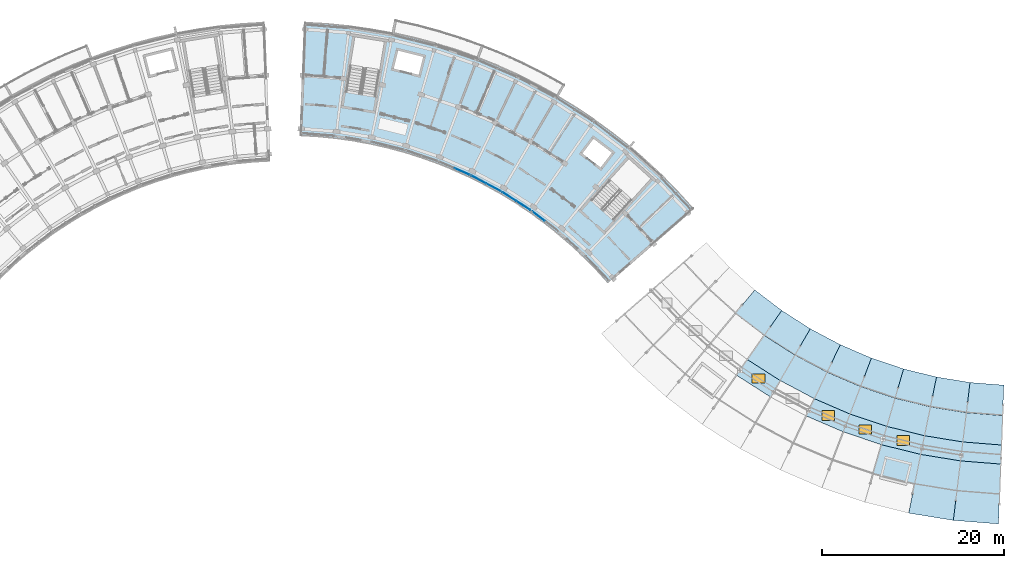
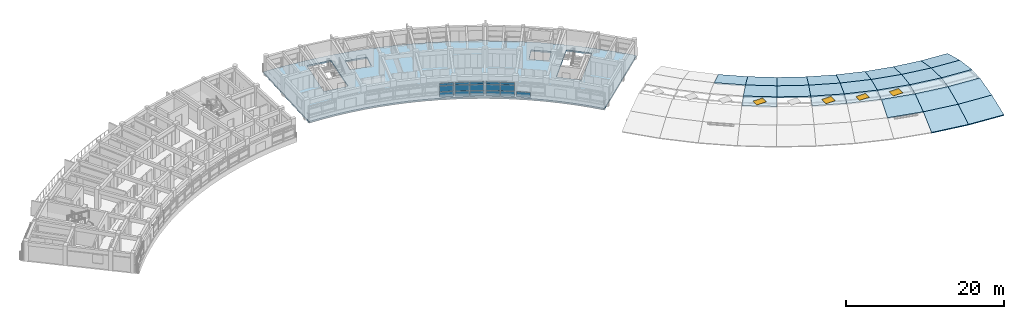
# One storey, part 22 of 40: 27 slabs, 16 plates, 4 windows, 4 openings, 4 elements without a shape of their own.
"""IFC4 building model written with IfcOpenShell, lengths in metres."""

from ifc_helpers import new_model, si_unit, direction, frame, origin, origin_2d, place, context, subcontext, project, spatial, polyline, rectangle, outline, extrude, material, layer, layer_set, type_object, element, fill, aggregate, save


model = new_model("IFC4")

# Units and contexts
model_context = context("Model", 3, precision=1e-05, world=origin(), true_north=direction((0.0, 1.0)))
body_context = subcontext(model_context, "Body", "Model", "MODEL_VIEW")
ifc_project = project(units=[si_unit("LENGTHUNIT", "METRE"), si_unit("AREAUNIT", "SQUARE_METRE"), si_unit("VOLUMEUNIT", "CUBIC_METRE"), si_unit("PLANEANGLEUNIT", "RADIAN"), si_unit("MASSUNIT", "GRAM", prefix="KILO")], contexts=[model_context])

# Site, building, storey
site_placement = place(None, origin())
site = spatial("IfcSite", under=ifc_project, at=site_placement, CompositionType="ELEMENT")
building_placement = place(site_placement, origin())
building = spatial("IfcBuilding", under=site, at=building_placement, Name="Zimvara Arc Housing Community", CompositionType="ELEMENT")
storey_placement = place(building_placement, frame((0.0, 0.0, 32.89990234375)))
storey = spatial("IfcBuildingStorey", under=building, at=storey_placement, Name="L10", CompositionType="ELEMENT", Elevation=32.89990234375)

# Curtain wall, plates
ifc_material_1 = material(Name="Anodised Aluminium AW-6063", Category="aluminium")
curtain_wall_type_1 = type_object("IfcCurtainWallType", Name="CW-SYS-08", PredefinedType="USERDEFINED", material=ifc_material_1)
curtain_wall_1_placement = place(storey_placement, origin())
curtain_wall_1 = element("IfcCurtainWall", 1, at=curtain_wall_1_placement, inside=storey, type_object=curtain_wall_type_1, Name="cw:blkB:L10:in:b6", ObjectType="CURTAIN WALL", PredefinedType="USERDEFINED")
ifc_material_2 = material(Name="Pale-Gold Anodised Aluminium Spandrel Panel", Category="aluminium")
ifc_layer_1 = layer(ifc_material_2, 0.035888671875)
ifc_layer_set_1 = layer_set([ifc_layer_1], Name="Pale-Gold Anodised Aluminium Spandrel Panel")
plate_type_1 = type_object("IfcPlateType", Name="CWP-GLD-36", PredefinedType="CURTAIN_PANEL", material=ifc_layer_set_1)
plate_1_placement = place(storey_placement, frame((69.7646484375, 84.90380859375, 0.065185546875), z_axis=(0.0, 0.0, 1.0), x_axis=(0.842264092079, -0.539065115913, 0.0)))
plate_1 = element("IfcPlate", 2, at=plate_1_placement, type_object=plate_type_1, Name="CW08 panel 1.1", PredefinedType="CURTAIN_PANEL", context=body_context, shape_type="SweptSolid", body=[
    extrude(rectangle(XDim=1.778564453125, YDim=0.035888671875, at=origin_2d()), origin(), (0.0, 0.0, 1.0), 0.75244140625),
])
plate_2_placement = place(storey_placement, frame((69.7646484375, 84.90380859375, 0.8828125), z_axis=(0.0, 0.0, 1.0), x_axis=(0.842264092079, -0.539065115913, 0.0)))
plate_2 = element("IfcPlate", 3, at=plate_2_placement, type_object=plate_type_1, Name="CW08 panel 1.2", PredefinedType="CURTAIN_PANEL", context=body_context, shape_type="SweptSolid", body=[
    extrude(rectangle(XDim=1.778564453125, YDim=0.035888671875, at=origin_2d()), origin(), (0.0, 0.0, 1.0), 0.885009765625),
])
plate_3_placement = place(storey_placement, frame((69.7646484375, 84.90380859375, 1.83251953125), z_axis=(0.0, 0.0, 1.0), x_axis=(0.842264092079, -0.539065115913, 0.0)))
plate_3 = element("IfcPlate", 4, at=plate_3_placement, type_object=plate_type_1, Name="CW08 panel 1.3", PredefinedType="CURTAIN_PANEL", context=body_context, shape_type="SweptSolid", body=[
    extrude(rectangle(XDim=1.778564453125, YDim=0.035888671875, at=origin_2d()), origin(), (0.0, 0.0, 1.0), 0.3525390625),
])
plate_4_placement = place(storey_placement, frame((71.317626953125, 83.909912109375, 0.065185546875), z_axis=(0.0, 0.0, 1.0), x_axis=(0.842264092079, -0.539065115913, 0.0)))
plate_4 = element("IfcPlate", 5, at=plate_4_placement, type_object=plate_type_1, Name="CW08 panel 2.1", PredefinedType="CURTAIN_PANEL", context=body_context, shape_type="SweptSolid", body=[
    extrude(rectangle(XDim=1.778564453125, YDim=0.035888671875, at=origin_2d()), origin(), (0.0, 0.0, 1.0), 0.75244140625),
])
plate_5_placement = place(storey_placement, frame((71.317626953125, 83.909912109375, 0.8828125), z_axis=(0.0, 0.0, 1.0), x_axis=(0.842264092079, -0.539065115913, 0.0)))
plate_5 = element("IfcPlate", 6, at=plate_5_placement, type_object=plate_type_1, Name="CW08 panel 2.2", PredefinedType="CURTAIN_PANEL", context=body_context, shape_type="SweptSolid", body=[
    extrude(rectangle(XDim=1.778564453125, YDim=0.035888671875, at=origin_2d()), origin(), (0.0, 0.0, 1.0), 0.885009765625),
])
plate_6_placement = place(storey_placement, frame((71.317626953125, 83.909912109375, 1.83251953125), z_axis=(0.0, 0.0, 1.0), x_axis=(0.842264092079, -0.539065115913, 0.0)))
plate_6 = element("IfcPlate", 7, at=plate_6_placement, type_object=plate_type_1, Name="CW08 panel 2.3", PredefinedType="CURTAIN_PANEL", context=body_context, shape_type="SweptSolid", body=[
    extrude(rectangle(XDim=1.778564453125, YDim=0.035888671875, at=origin_2d()), origin(), (0.0, 0.0, 1.0), 0.3525390625),
])
aggregate(curtain_wall_1, [plate_1, plate_2, plate_3, plate_4, plate_5, plate_6])

ifc_material_3 = material(Name="Anodised Aluminium AW-6063", Category="aluminium")
curtain_wall_type_2 = type_object("IfcCurtainWallType", Name="CW-SYS-05", PredefinedType="USERDEFINED", material=ifc_material_3)
curtain_wall_2_placement = place(storey_placement, origin())
curtain_wall_2 = element("IfcCurtainWall", 8, at=curtain_wall_2_placement, inside=storey, type_object=curtain_wall_type_2, Name="cw:blkB:L10:in:b4", ObjectType="CURTAIN WALL", PredefinedType="USERDEFINED")
ifc_material_4 = material(Name="Solar Control Low-E Double Glazing", Category="glass")
ifc_layer_2 = layer(ifc_material_4, 0.02392578125)
ifc_layer_set_2 = layer_set([ifc_layer_2], Name="Solar Control Low-E Double Glazing")
plate_type_2 = type_object("IfcPlateType", Name="CWP-GLZ-24", PredefinedType="CURTAIN_PANEL", material=ifc_layer_set_2)
plate_7_placement = place(storey_placement, frame((64.5576171875, 87.66552734375, 0.065185546875), z_axis=(0.0, 0.0, 1.0), x_axis=(0.918722411261, -0.394903951674, 0.0)))
plate_7 = element("IfcPlate", 9, at=plate_7_placement, type_object=plate_type_2, Name="CW05 panel 2.1", PredefinedType="CURTAIN_PANEL", context=body_context, shape_type="SweptSolid", body=[
    extrude(rectangle(XDim=1.778564453125, YDim=0.02392578125, at=origin_2d()), origin(), (0.0, 0.0, 1.0), 0.75244140625),
])
plate_8_placement = place(storey_placement, frame((64.5576171875, 87.66552734375, 0.8828125), z_axis=(0.0, 0.0, 1.0), x_axis=(0.918722411261, -0.394903951674, 0.0)))
plate_8 = element("IfcPlate", 10, at=plate_8_placement, type_object=plate_type_2, Name="CW05 panel 2.2", PredefinedType="CURTAIN_PANEL", context=body_context, shape_type="SweptSolid", body=[
    extrude(rectangle(XDim=1.778564453125, YDim=0.02392578125, at=origin_2d()), origin(), (0.0, 0.0, 1.0), 0.885009765625),
])
plate_9_placement = place(storey_placement, frame((64.5576171875, 87.66552734375, 1.83251953125), z_axis=(0.0, 0.0, 1.0), x_axis=(0.918722411261, -0.394903951674, 0.0)))
plate_9 = element("IfcPlate", 11, at=plate_9_placement, type_object=plate_type_2, Name="CW05 panel 2.3", PredefinedType="CURTAIN_PANEL", context=body_context, shape_type="SweptSolid", body=[
    extrude(rectangle(XDim=1.778564453125, YDim=0.02392578125, at=origin_2d()), origin(), (0.0, 0.0, 1.0), 0.3525390625),
])
aggregate(curtain_wall_2, [plate_7, plate_8, plate_9])

ifc_material_5 = material(Name="Anodised Aluminium AW-6063", Category="aluminium")
curtain_wall_type_3 = type_object("IfcCurtainWallType", Name="CW-SYS-06", PredefinedType="USERDEFINED", material=ifc_material_5)
curtain_wall_3_placement = place(storey_placement, origin())
curtain_wall_3 = element("IfcCurtainWall", 12, at=curtain_wall_3_placement, inside=storey, type_object=curtain_wall_type_3, Name="cw:blkB:L10:in:b5", ObjectType="CURTAIN WALL", PredefinedType="USERDEFINED")
ifc_material_6 = material(Name="Solar Control Low-E Double Glazing", Category="glass")
ifc_layer_3 = layer(ifc_material_6, 0.028076171875)
ifc_layer_set_3 = layer_set([ifc_layer_3], Name="Solar Control Low-E Double Glazing")
plate_type_3 = type_object("IfcPlateType", Name="CWP-GLZ-28", PredefinedType="CURTAIN_PANEL", material=ifc_layer_set_3)
plate_10_placement = place(storey_placement, frame((66.385498046875, 86.78955078125, 0.065185546875), z_axis=(0.0, 0.0, 1.0), x_axis=(0.883438518424, -0.468547099195, 0.0)))
plate_10 = element("IfcPlate", 13, at=plate_10_placement, type_object=plate_type_3, Name="CW06 panel 1.1", PredefinedType="CURTAIN_PANEL", context=body_context, shape_type="SweptSolid", body=[
    extrude(rectangle(XDim=1.778564453125, YDim=0.028076171875, at=origin_2d()), origin(), (0.0, 0.0, 1.0), 0.75244140625),
])
plate_11_placement = place(storey_placement, frame((66.385498046875, 86.78955078125, 0.8828125), z_axis=(0.0, 0.0, 1.0), x_axis=(0.883438518424, -0.468547099195, 0.0)))
plate_11 = element("IfcPlate", 14, at=plate_11_placement, type_object=plate_type_3, Name="CW06 panel 1.2", PredefinedType="CURTAIN_PANEL", context=body_context, shape_type="SweptSolid", body=[
    extrude(rectangle(XDim=1.778564453125, YDim=0.028076171875, at=origin_2d()), origin(), (0.0, 0.0, 1.0), 0.885009765625),
])
plate_12_placement = place(storey_placement, frame((66.385498046875, 86.78955078125, 1.83251953125), z_axis=(0.0, 0.0, 1.0), x_axis=(0.883438518424, -0.468547099195, 0.0)))
plate_12 = element("IfcPlate", 15, at=plate_12_placement, type_object=plate_type_3, Name="CW06 panel 1.3", PredefinedType="CURTAIN_PANEL", context=body_context, shape_type="SweptSolid", body=[
    extrude(rectangle(XDim=1.778564453125, YDim=0.028076171875, at=origin_2d()), origin(), (0.0, 0.0, 1.0), 0.3525390625),
])
plate_13_placement = place(storey_placement, frame((68.014404296875, 85.92578125, 0.065185546875), z_axis=(0.0, 0.0, 1.0), x_axis=(0.883438518424, -0.468547099195, 0.0)))
plate_13 = element("IfcPlate", 16, at=plate_13_placement, type_object=plate_type_3, Name="CW06 panel 2.1", PredefinedType="CURTAIN_PANEL", context=body_context, shape_type="SweptSolid", body=[
    extrude(rectangle(XDim=1.778564453125, YDim=0.028076171875, at=origin_2d()), origin(), (0.0, 0.0, 1.0), 0.75244140625),
])
plate_14_placement = place(storey_placement, frame((68.014404296875, 85.92578125, 0.8828125), z_axis=(0.0, 0.0, 1.0), x_axis=(0.883438518424, -0.468547099195, 0.0)))
plate_14 = element("IfcPlate", 17, at=plate_14_placement, type_object=plate_type_3, Name="CW06 panel 2.2", PredefinedType="CURTAIN_PANEL", context=body_context, shape_type="SweptSolid", body=[
    extrude(rectangle(XDim=1.778564453125, YDim=0.028076171875, at=origin_2d()), origin(), (0.0, 0.0, 1.0), 0.885009765625),
])
plate_15_placement = place(storey_placement, frame((68.014404296875, 85.92578125, 1.83251953125), z_axis=(0.0, 0.0, 1.0), x_axis=(0.883438518424, -0.468547099195, 0.0)))
plate_15 = element("IfcPlate", 18, at=plate_15_placement, type_object=plate_type_3, Name="CW06 panel 2.3", PredefinedType="CURTAIN_PANEL", context=body_context, shape_type="SweptSolid", body=[
    extrude(rectangle(XDim=1.778564453125, YDim=0.028076171875, at=origin_2d()), origin(), (0.0, 0.0, 1.0), 0.3525390625),
])
aggregate(curtain_wall_3, [plate_10, plate_11, plate_12, plate_13, plate_14, plate_15])

# Curtain wall, plate
ifc_material_7 = material(Name="Anodised Aluminium AW-6063", Category="aluminium")
curtain_wall_type_4 = type_object("IfcCurtainWallType", Name="CW-SYS-02", PredefinedType="USERDEFINED", material=ifc_material_7)
curtain_wall_4_placement = place(storey_placement, origin())
curtain_wall_4 = element("IfcCurtainWall", 19, at=curtain_wall_4_placement, inside=storey, type_object=curtain_wall_type_4, Name="cw:blkB:L10:in:b7", ObjectType="CURTAIN WALL", PredefinedType="USERDEFINED")
plate_16_placement = place(storey_placement, frame((72.978759765625, 82.74853515625, 0.065185546875), z_axis=(0.0, 0.0, 1.0), x_axis=(0.795473930895, -0.605987809503, 0.0)))
plate_16 = element("IfcPlate", 20, at=plate_16_placement, type_object=plate_type_3, Name="CW02 panel 1.1", PredefinedType="CURTAIN_PANEL", context=body_context, shape_type="SweptSolid", body=[
    extrude(rectangle(XDim=1.778564453125, YDim=0.028076171875, at=origin_2d()), origin(), (0.0, 0.0, 1.0), 0.75244140625),
])
aggregate(curtain_wall_4, [plate_16])

# Slabs
ifc_material_8 = material(Name="Concrete C40/50", Category="concrete")
ifc_layer_4 = layer(ifc_material_8, 0.179931640625)
ifc_layer_set_4 = layer_set([ifc_layer_4], Name="Concrete C40/50")
slab_type_1 = type_object("IfcSlabType", Name="SLB-BRL-ROOF-180", PredefinedType="ROOF", material=ifc_layer_set_4)
slab_1_placement = place(storey_placement, frame((96.793212890625, 74.62939453125, 0.1201171875), z_axis=(0.175872522477, 0.230863004654, 0.95695931414), x_axis=(0.795483030308, -0.605975864577, -6.477061e-06)))
element("IfcSlab", 21, at=slab_1_placement, inside=storey, type_object=slab_type_1, Name="roof:blkC:in1:b2:t0", PredefinedType="ROOF", context=body_context, shape_type="SweptSolid", body=[
    extrude(outline(polyline([(0.0, 0.0), (3.735993437539889, 0.0), (3.8705546057474702, -3.4457232850022925), (-0.13473484521581797, -3.445550518153494), (0.0, 0.0)])), origin(), (0.0, 0.0, -1.0), 0.179931640625),
])
slab_2_placement = place(storey_placement, frame((99.76513671875, 72.365478515625, 0.1201171875), z_axis=(0.156449128129, 0.244444326037, 0.956959059613), x_axis=(0.842252295774, -0.539083546604, 6.559203e-06)))
element("IfcSlab", 22, at=slab_2_placement, inside=storey, type_object=slab_type_1, Name="roof:blkC:in1:b3:t0", PredefinedType="ROOF", context=body_context, shape_type="SweptSolid", body=[
    extrude(outline(polyline([(0.0, 0.0), (3.735802676728838, 0.0), (3.870763543502447, -3.445539458096154), (-0.13478805842064573, -3.4457144170820824), (0.0, 0.0)])), origin(), (0.0, 0.0, -1.0), 0.179931640625),
])
slab_3_placement = place(storey_placement, frame((97.8740234375, 69.660888671875, 1.1201171875), z_axis=(0.096526090093, 0.150821025854, 0.983837248782), x_axis=(0.842275634891, -0.53904708038, -1.972044e-06)))
element("IfcSlab", 23, at=slab_3_placement, inside=storey, type_object=slab_type_1, Name="roof:blkC:in2:b3:t0", PredefinedType="ROOF", context=body_context, shape_type="SweptSolid", body=[
    extrude(outline(polyline([(0.0, 0.0), (4.005551605817919, -6.661338147750939e-16), (4.140024737529822, -3.3513298506434754), (-0.13486453372735885, -3.3512386580924614), (0.0, 0.0)])), origin(), (0.0, 0.0, -1.0), 0.179931640625),
])
slab_4_placement = place(storey_placement, frame((102.91162109375, 70.3515625, 0.1201171875), z_axis=(0.135986745454, 0.256395013371, 0.95695830744), x_axis=(0.883439094078, -0.468546013796, -3.287226e-06)))
element("IfcSlab", 24, at=slab_4_placement, inside=storey, type_object=slab_type_1, Name="roof:blkC:in1:b4:t0", PredefinedType="ROOF", context=body_context, shape_type="SweptSolid", body=[
    extrude(outline(polyline([(0.0, 0.0), (3.7360078202528384, 0.0), (3.8706256657567035, -3.445641334457608), (-0.13459796669446164, -3.445553653726859), (0.0, 0.0)])), origin(), (0.0, 0.0, -1.0), 0.179931640625),
])
slab_5_placement = place(storey_placement, frame((101.247802734375, 67.501708984375, 1.1201171875), z_axis=(0.083901912001, 0.158194518115, 0.983836858224), x_axis=(0.883429102489, -0.468564852359, 3.049498e-06)))
element("IfcSlab", 25, at=slab_5_placement, inside=storey, type_object=slab_type_1, Name="roof:blkC:in2:b4:t0", PredefinedType="ROOF", context=body_context, shape_type="SweptSolid", body=[
    extrude(outline(polyline([(0.0, 0.0), (4.00522363341222, 2.220446049250313e-16), (4.140018194579597, -3.3511735929204445), (-0.13485261478449045, -3.3513146022363443), (0.0, 0.0)])), origin(), (0.0, 0.0, -1.0), 0.179931640625),
])
slab_6_placement = place(storey_placement, frame((106.212158203125, 68.60107421875, 0.1201171875), z_axis=(0.114609374575, 0.266646888487, 0.956955656298), x_axis=(0.918716453225, -0.394917812289, 1.0541491e-05)))
element("IfcSlab", 26, at=slab_6_placement, inside=storey, type_object=slab_type_1, Name="roof:blkC:in1:b5:t0", PredefinedType="ROOF", context=body_context, shape_type="SweptSolid", body=[
    extrude(outline(polyline([(0.0, 0.0), (3.7357920505603195, -2.220446049250313e-16), (3.870595506328679, -3.445353136903779), (-0.13479772791542194, -3.4456343017028006), (0.0, 0.0)])), origin(), (0.0, 0.0, -1.0), 0.179931640625),
])
slab_7_placement = place(storey_placement, frame((104.7861328125, 65.625, 1.1201171875), z_axis=(0.070710329706, 0.164508561435, 0.983837884251), x_axis=(0.918743595497, -0.394854663986, -7.816129e-06)))
element("IfcSlab", 27, at=slab_7_placement, inside=storey, type_object=slab_type_1, Name="roof:blkC:in2:b5:t0", PredefinedType="ROOF", context=body_context, shape_type="SweptSolid", body=[
    extrude(outline(polyline([(0.0, 0.0), (4.005393244197502, 0.0), (4.139826945365122, -3.3515303113486956), (-0.13491169687942747, -3.351168879181455), (0.0, 0.0)])), origin(), (0.0, 0.0, -1.0), 0.179931640625),
])
slab_8_placement = place(storey_placement, frame((109.644287109375, 67.125732421875, 0.1201171875), z_axis=(0.092474087513, 0.275106520269, 0.956956083446), x_axis=(0.947895023284, -0.318582838033, -1.2029128e-05)))
element("IfcSlab", 28, at=slab_8_placement, inside=storey, type_object=slab_type_1, Name="roof:blkC:in1:b6:t0", PredefinedType="ROOF", context=body_context, shape_type="SweptSolid", body=[
    extrude(outline(polyline([(0.0, 0.0), (3.735915197300284, 2.220446049250313e-16), (3.870552798049799, -3.4456708605938138), (-0.13488337976329615, -3.4453500087816304), (0.0, 0.0)])), origin(), (0.0, 0.0, -1.0), 0.179931640625),
])
slab_9_placement = place(storey_placement, frame((108.466064453125, 64.04345703125, 1.1201171875), z_axis=(0.057053890829, 0.16972569041, 0.983838423501), x_axis=(0.94786979611, -0.318657888021, 4.848542e-06)))
element("IfcSlab", 29, at=slab_9_placement, inside=storey, type_object=slab_type_1, Name="roof:blkC:in2:b6:t0", PredefinedType="ROOF", context=body_context, shape_type="SweptSolid", body=[
    extrude(outline(polyline([(0.0, 0.0), (4.005436190890521, 4.440892098500626e-16), (4.14027200662921, -3.3512929484263654), (-0.13476100926693224, -3.351517166732552), (0.0, 0.0)])), origin(), (0.0, 0.0, -1.0), 0.179931640625),
])
slab_10_placement = place(storey_placement, frame((113.185546875, 65.935546875, 0.1201171875), z_axis=(0.069718656148, 0.28172121801, 0.956960011864), x_axis=(0.970716409032, -0.240228335621, 3.92674e-07)))
element("IfcSlab", 30, at=slab_10_placement, inside=storey, type_object=slab_type_1, Name="roof:blkC:in1:b7:t0", PredefinedType="ROOF", context=body_context, shape_type="SweptSolid", body=[
    extrude(outline(polyline([(0.0, 0.0), (3.7358644779074552, -1.1102230246251565e-16), (3.870550685171984, -3.445658980093145), (-0.13467360304142384, -3.445669453956335), (0.0, 0.0)])), origin(), (0.0, 0.0, -1.0), 0.179931640625),
])
slab_11_placement = place(storey_placement, frame((112.2626953125, 62.76708984375, 1.1201171875), z_axis=(0.043019196849, 0.173813816821, 0.983838455126), x_axis=(0.970716825915, -0.240226651024, -4.825083e-06)))
element("IfcSlab", 31, at=slab_11_placement, inside=storey, type_object=slab_type_1, Name="roof:blkC:in2:b7:t0", PredefinedType="ROOF", context=body_context, shape_type="SweptSolid", body=[
    extrude(outline(polyline([(0.0, 0.0), (4.005224288179228, 1.1102230246251565e-16), (4.139901484970096, -3.3515198687821672), (-0.13474126261522545, -3.351296751338333), (0.0, 0.0)])), origin(), (0.0, 0.0, -1.0), 0.179931640625),
])
slab_12_placement = place(storey_placement, frame((114.4072265625, 53.281494140625, 1.1201171875), z_axis=(-0.043015137982, -0.173821238106, 0.983837321455), x_axis=(-0.970718356207, 0.240220467325, -1.67695e-07)))
element("IfcSlab", 32, at=slab_12_placement, inside=storey, type_object=slab_type_1, Name="roof:blkC:out1:b7:t0", PredefinedType="ROOF", context=body_context, shape_type="SweptSolid", body=[
    extrude(outline(polyline([(0.0, 0.0), (4.715720739081553, 2.220446049250313e-16), (4.580961267845816, -3.3512960192557557), (0.13460033914983974, -3.351287438917491), (0.0, 0.0)])), origin(), (0.0, 0.0, -1.0), 0.179931640625),
])
slab_13_placement = place(storey_placement, frame((116.81201171875, 65.0380859375, 0.1201171875), z_axis=(0.046506220572, 0.286469531875, 0.956959967165), x_axis=(0.987077534139, -0.160243382385, -4.16722e-07)))
element("IfcSlab", 33, at=slab_13_placement, inside=storey, type_object=slab_type_1, Name="roof:blkC:in1:b8:t0", PredefinedType="ROOF", context=body_context, shape_type="SweptSolid", body=[
    extrude(outline(polyline([(0.0, 0.0), (3.7357753538186707, 0.0), (3.8706352065891103, -3.4456680248884766), (-0.13473916844379266, -3.4456569095037035), (0.0, 0.0)])), origin(), (0.0, 0.0, -1.0), 0.179931640625),
])
slab_14_placement = place(storey_placement, frame((116.150634765625, 61.804931640625, 1.1201171875), z_axis=(0.028688526108, 0.176745395113, 0.98383841853), x_axis=(0.987077232486, -0.160245240442, 4.896518e-06)))
element("IfcSlab", 34, at=slab_14_placement, inside=storey, type_object=slab_type_1, Name="roof:blkC:in2:b8:t0", PredefinedType="ROOF", context=body_context, shape_type="SweptSolid", body=[
    extrude(outline(polyline([(0.0, 0.0), (4.005374374999049, 1.1102230246251565e-16), (4.140204667416441, -3.3512913298392357), (-0.1347296064418007, -3.351517762344931), (0.0, 0.0)])), origin(), (0.0, 0.0, -1.0), 0.179931640625),
])
slab_15_placement = place(storey_placement, frame((118.666748046875, 49.24951171875, 0.1201171875), z_axis=(-0.04650335205, -0.286469997504, 0.956959967176), x_axis=(-0.987078713763, 0.160236115892, 3.87469e-07)))
element("IfcSlab", 35, at=slab_15_placement, inside=storey, type_object=slab_type_1, Name="roof:blkC:out2:b8:t0", PredefinedType="ROOF", context=body_context, shape_type="SweptSolid", body=[
    extrude(outline(polyline([(0.0, 0.0), (4.985315216260339, 2.220446049250313e-16), (4.850552578137155, -3.4456559916637337), (0.13483638299848902, -3.4456689433906122), (0.0, 0.0)])), origin(), (0.0, 0.0, -1.0), 0.179931640625),
])
slab_16_placement = place(storey_placement, frame((119.06201171875, 52.52587890625, 1.1201171875), z_axis=(-0.028690980375, -0.176750371866, 0.98383745288), x_axis=(-0.987079184772, 0.160233214377, 1.027312e-06)))
element("IfcSlab", 36, at=slab_16_placement, inside=storey, type_object=slab_type_1, Name="roof:blkC:out1:b8:t0", PredefinedType="ROOF", context=body_context, shape_type="SweptSolid", body=[
    extrude(outline(polyline([(0.0, 0.0), (4.715716195154314, -1.1102230246251565e-16), (4.580904974052216, -3.3512789624540016), (0.13454681384931697, -3.3513315264099974), (0.0, 0.0)])), origin(), (0.0, 0.0, -1.0), 0.179931640625),
])
slab_17_placement = place(storey_placement, frame((120.49951171875, 64.439453125, 0.1201171875), z_axis=(0.022963767606, 0.289312353141, 0.956959261253), x_axis=(0.996863987403, -0.079134004139, 2.813087e-06)))
element("IfcSlab", 37, at=slab_17_placement, inside=storey, type_object=slab_type_1, Name="roof:blkC:in1:b9:t0", PredefinedType="ROOF", context=body_context, shape_type="SweptSolid", body=[
    extrude(outline(polyline([(0.0, 0.0), (3.736081886436803, 0.0), (3.8707259554926345, -3.445597313975314), (-0.1347492523561307, -3.4456723518784567), (0.0, 0.0)])), origin(), (0.0, 0.0, -1.0), 0.179931640625),
])
slab_18_placement = place(storey_placement, frame((120.104248046875, 61.1630859375, 1.1201171875), z_axis=(0.014170073224, 0.178498575156, 0.983838130839), x_axis=(0.996865416722, -0.079115996674, -3.621807e-06)))
element("IfcSlab", 38, at=slab_18_placement, inside=storey, type_object=slab_type_1, Name="roof:blkC:in2:b9:t0", PredefinedType="ROOF", context=body_context, shape_type="SweptSolid", body=[
    extrude(outline(polyline([(0.0, 0.0), (4.005475208539554, -5.551115123125783e-17), (4.140054728412325, -3.351458701099651), (-0.1348331183357188, -3.3512912161715853), (0.0, 0.0)])), origin(), (0.0, 0.0, -1.0), 0.179931640625),
])
slab_19_placement = place(storey_placement, frame((123.636474609375, 48.85498046875, 0.1201171875), z_axis=(-0.022969953699, -0.289311861975, 0.956959261279), x_axis=(-0.996863621314, 0.079138615704, -2.268604e-06)))
element("IfcSlab", 39, at=slab_19_placement, inside=storey, type_object=slab_type_1, Name="roof:blkC:out2:b9:t0", PredefinedType="ROOF", context=body_context, shape_type="SweptSolid", body=[
    extrude(outline(polyline([(0.0, 0.0), (4.9853622750112105, 0.0), (4.850623194845984, -3.4456727496625854), (0.1346542408825445, -3.445596916471673), (0.0, 0.0)])), origin(), (0.0, 0.0, -1.0), 0.179931640625),
])
slab_20_placement = place(storey_placement, frame((123.76318359375, 52.152587890625, 1.1201171875), z_axis=(-0.014170674759, -0.178498017984, 0.983838223263), x_axis=(-0.996862384697, 0.079154191102, 2.697185e-06)))
element("IfcSlab", 40, at=slab_20_placement, inside=storey, type_object=slab_type_1, Name="roof:blkC:out1:b9:t0", PredefinedType="ROOF", context=body_context, shape_type="SweptSolid", body=[
    extrude(outline(polyline([(0.0, 0.0), (4.715968954570228, 5.551115123125783e-17), (4.581022581735554, -3.351315461328942), (0.13470964629821933, -3.3514534732844234), (0.0, 0.0)])), origin(), (0.0, 0.0, -1.0), 0.179931640625),
])

# Slab, opening, window
ifc_material_9 = material(Name="Concrete C40/50", Category="concrete")
ifc_layer_5 = layer(ifc_material_9, 0.205078125)
ifc_layer_set_5 = layer_set([ifc_layer_5], Name="Concrete C40/50")
slab_type_2 = type_object("IfcSlabType", Name="SLB-CURB-ROOF-205", PredefinedType="ROOF", material=ifc_layer_set_5)
slab_21_placement = place(storey_placement, frame((0.0, 0.0, 1.51513671875)))
slab_21 = element("IfcSlab", 41, at=slab_21_placement, inside=storey, type_object=slab_type_2, Name="roof:blkC:curb:b3", PredefinedType="ROOF", context=body_context, shape_type="SweptSolid", body=[
    extrude(outline(polyline([(94.780029296875, 65.2353515625), (98.52490234375, 62.838623046875), (99.583740234375, 64.652099609375), (95.983154296875, 66.95654296875), (94.780029296875, 65.2353515625)])), origin(), (0.0, 0.0, 1.0), 0.205078125),
])
opening_1_placement = place(slab_21_placement, frame((97.19384765625, 64.883056640625, 0.0)))
opening_1 = element("IfcOpeningElement", 42, at=opening_1_placement, cuts=slab_21, Name="Opening SK3", PredefinedType="OPENING", context=body_context, shape_type="SweptSolid", body=[
    extrude(rectangle(XDim=1.39990234375, YDim=1.0, at=origin_2d()), origin(), (0.0, 0.0, 1.0), 0.205078125),
])
ifc_material_10 = material(Name="Solar Control Low-E Double Glazing", Category="glass")
window_type_1 = type_object("IfcWindowType", Name="SKY-BRL-1800x1000", PartitioningType="SINGLE_PANEL", PredefinedType="SKYLIGHT", material=ifc_material_10)
window_1_placement = place(opening_1_placement, frame((0.0, 0.0, 0.155029296875)))
window_1 = element("IfcWindow", 43, at=window_1_placement, inside=storey, type_object=window_type_1, Name="sky:blkC:b3", OverallHeight=1.0, OverallWidth=1.39990234375, PartitioningType="SINGLE_PANEL", PredefinedType="SKYLIGHT", context=body_context, shape_type="SweptSolid", body=[
    extrude(rectangle(XDim=1.39990234375, YDim=1.0, at=origin_2d()), origin(), (0.0, 0.0, 1.0), 0.050048828125),
])
fill(opening_1, window_1)

slab_22_placement = place(storey_placement, frame((0.0, 0.0, 1.51513671875)))
slab_22 = element("IfcSlab", 44, at=slab_22_placement, inside=storey, type_object=slab_type_2, Name="roof:blkC:curb:b5", PredefinedType="ROOF", context=body_context, shape_type="SweptSolid", body=[
    extrude(outline(polyline([(102.452880859375, 60.755126953125), (106.537841796875, 58.999267578125), (107.28759765625, 60.9609375), (103.3603515625, 62.649169921875), (102.452880859375, 60.755126953125)])), origin(), (0.0, 0.0, 1.0), 0.205078125),
])
opening_2_placement = place(slab_22_placement, frame((104.89208984375, 60.80029296875, 0.0)))
opening_2 = element("IfcOpeningElement", 45, at=opening_2_placement, cuts=slab_22, Name="Opening SK2", PredefinedType="OPENING", context=body_context, shape_type="SweptSolid", body=[
    extrude(rectangle(XDim=1.39990234375, YDim=1.10009765625, at=origin_2d()), origin(), (0.0, 0.0, 1.0), 0.205078125),
])
ifc_material_11 = material(Name="Solar Control Low-E Double Glazing", Category="glass")
window_type_2 = type_object("IfcWindowType", Name="SKY-BRL-2000x1100", PartitioningType="SINGLE_PANEL", PredefinedType="SKYLIGHT", material=ifc_material_11)
window_2_placement = place(opening_2_placement, frame((0.0, 0.0, 0.155029296875)))
window_2 = element("IfcWindow", 46, at=window_2_placement, inside=storey, type_object=window_type_2, Name="sky:blkC:b5", OverallHeight=1.10009765625, OverallWidth=1.39990234375, PartitioningType="SINGLE_PANEL", PredefinedType="SKYLIGHT", context=body_context, shape_type="SweptSolid", body=[
    extrude(rectangle(XDim=1.39990234375, YDim=1.10009765625, at=origin_2d()), origin(), (0.0, 0.0, 1.0), 0.050048828125),
])
fill(opening_2, window_2)

slab_23_placement = place(storey_placement, frame((0.0, 0.0, 1.51513671875)))
slab_23 = element("IfcSlab", 47, at=slab_23_placement, inside=storey, type_object=slab_type_2, Name="roof:blkC:curb:b6", PredefinedType="ROOF", context=body_context, shape_type="SweptSolid", body=[
    extrude(outline(polyline([(106.537841796875, 58.999267578125), (110.75244140625, 57.58251953125), (111.339599609375, 59.598876953125), (107.28759765625, 60.9609375), (106.537841796875, 58.999267578125)])), origin(), (0.0, 0.0, 1.0), 0.205078125),
])
opening_3_placement = place(slab_23_placement, frame((108.96533203125, 59.2431640625, 0.0)))
opening_3 = element("IfcOpeningElement", 48, at=opening_3_placement, cuts=slab_23, Name="Opening SK3", PredefinedType="OPENING", context=body_context, shape_type="SweptSolid", body=[
    extrude(rectangle(XDim=1.39990234375, YDim=1.0, at=origin_2d()), origin(), (0.0, 0.0, 1.0), 0.205078125),
])
window_3_placement = place(opening_3_placement, frame((0.0, 0.0, 0.155029296875)))
window_3 = element("IfcWindow", 49, at=window_3_placement, inside=storey, type_object=window_type_1, Name="sky:blkC:b6", OverallHeight=1.0, OverallWidth=1.39990234375, PartitioningType="SINGLE_PANEL", PredefinedType="SKYLIGHT", context=body_context, shape_type="SweptSolid", body=[
    extrude(rectangle(XDim=1.39990234375, YDim=1.0, at=origin_2d()), origin(), (0.0, 0.0, 1.0), 0.050048828125),
])
fill(opening_3, window_3)

slab_24_placement = place(storey_placement, frame((0.0, 0.0, 1.51513671875)))
slab_24 = element("IfcSlab", 50, at=slab_24_placement, inside=storey, type_object=slab_type_2, Name="roof:blkC:curb:b7", PredefinedType="ROOF", context=body_context, shape_type="SweptSolid", body=[
    extrude(outline(polyline([(110.75244140625, 57.58251953125), (115.068603515625, 56.514404296875), (115.4892578125, 58.572021484375), (111.339599609375, 59.598876953125), (110.75244140625, 57.58251953125)])), origin(), (0.0, 0.0, 1.0), 0.205078125),
])
opening_4_placement = place(slab_24_placement, frame((113.15185546875, 58.023681640625, 0.0)))
opening_4 = element("IfcOpeningElement", 51, at=opening_4_placement, cuts=slab_24, Name="Opening SK1", PredefinedType="OPENING", context=body_context, shape_type="SweptSolid", body=[
    extrude(rectangle(XDim=1.39990234375, YDim=1.10009765625, at=origin_2d()), origin(), (0.0, 0.0, 1.0), 0.205078125),
])
ifc_material_12 = material(Name="Solar Control Low-E Double Glazing", Category="glass")
window_type_3 = type_object("IfcWindowType", Name="SKY-BRL-2200x1200", PartitioningType="SINGLE_PANEL", PredefinedType="SKYLIGHT", material=ifc_material_12)
window_4_placement = place(opening_4_placement, frame((0.0, 0.0, 0.155029296875)))
window_4 = element("IfcWindow", 52, at=window_4_placement, inside=storey, type_object=window_type_3, Name="sky:blkC:b7", OverallHeight=1.10009765625, OverallWidth=1.39990234375, PartitioningType="SINGLE_PANEL", PredefinedType="SKYLIGHT", context=body_context, shape_type="SweptSolid", body=[
    extrude(rectangle(XDim=1.39990234375, YDim=1.10009765625, at=origin_2d()), origin(), (0.0, 0.0, 1.0), 0.050048828125),
])
fill(opening_4, window_4)

# Slabs
slab_25_placement = place(storey_placement, frame((0.0, 0.0, 1.51513671875)))
element("IfcSlab", 53, at=slab_25_placement, inside=storey, type_object=slab_type_2, Name="roof:blkC:curb:b8", PredefinedType="ROOF", context=body_context, shape_type="SweptSolid", body=[
    extrude(outline(polyline([(115.068603515625, 56.514404296875), (119.45751953125, 55.802001953125), (119.708984375, 57.886962890625), (115.4892578125, 58.572021484375), (115.068603515625, 56.514404296875)])), origin(), (0.0, 0.0, 1.0), 0.205078125),
])
slab_26_placement = place(storey_placement, frame((0.0, 0.0, 1.51513671875)))
element("IfcSlab", 54, at=slab_26_placement, inside=storey, type_object=slab_type_2, Name="roof:blkC:curb:b9", PredefinedType="ROOF", context=body_context, shape_type="SweptSolid", body=[
    extrude(outline(polyline([(119.45751953125, 55.802001953125), (123.889892578125, 55.4501953125), (123.970458984375, 57.548583984375), (119.708984375, 57.886962890625), (119.45751953125, 55.802001953125)])), origin(), (0.0, 0.0, 1.0), 0.205078125),
])
ifc_material_13 = material(Name="Concrete C35/45", Category="concrete")
ifc_layer_6 = layer(ifc_material_13, 0.22998046875)
ifc_layer_set_6 = layer_set([ifc_layer_6], Name="Concrete C35/45")
slab_type_3 = type_object("IfcSlabType", Name="SLB-TYP-230", PredefinedType="FLOOR", material=ifc_layer_set_6)
slab_27_placement = place(storey_placement, frame((0.0, 0.0, -0.22998046875)))
element("IfcSlab", 55, at=slab_27_placement, inside=storey, type_object=slab_type_3, Name="slab:blkB:L10:main", PredefinedType="FLOOR", context=body_context, shape_type="SweptSolid", body=[
    extrude(outline(polyline([(46.81201171875, 91.665283203125), (48.736083984375, 91.552001953125), (50.654052734375, 91.360107421875), (52.562744140625, 91.090087890625), (54.45849609375, 90.74267578125), (56.3388671875, 90.31787109375), (58.199951171875, 89.816650390625), (60.039306640625, 89.239990234375), (61.853515625, 88.588623046875), (63.639404296875, 87.86376953125), (65.39453125, 87.06640625), (67.115478515625, 86.1982421875), (68.799560546875, 85.260498046875), (70.44384765625, 84.2548828125), (72.0458984375, 83.182861328125), (73.6025390625, 82.04638671875), (75.11181640625, 80.84716796875), (76.57080078125, 79.58740234375), (77.97705078125, 78.269287109375), (79.328369140625, 76.89453125), (80.622314453125, 75.466064453125), (89.980712890625, 83.60107421875), (88.3466796875, 85.405029296875), (86.640380859375, 87.140869140625), (84.86474609375, 88.805419921875), (83.0224609375, 90.39599609375), (81.116943359375, 91.91015625), (79.151123046875, 93.34521484375), (77.128173828125, 94.698974609375), (75.052001953125, 95.96875), (72.92529296875, 97.15283203125), (70.752197265625, 98.249267578125), (68.536376953125, 99.255859375), (66.281005859375, 100.171142578125), (63.990234375, 100.99365234375), (61.667724609375, 101.721923828125), (59.317626953125, 102.354736328125), (56.943359375, 102.89111328125), (54.549560546875, 103.330078125), (52.139404296875, 103.6708984375), (49.717529296875, 103.9130859375), (47.287841796875, 104.05615234375), (46.81201171875, 91.665283203125)]), holes=[polyline([(51.777099609375, 96.48583984375), (52.75439453125, 102.507080078125), (55.991943359375, 101.9814453125), (55.0146484375, 95.960205078125), (51.777099609375, 96.48583984375)]), polyline([(78.82958984375, 84.550048828125), (82.909912109375, 89.08447265625), (85.34814453125, 86.890625), (81.26806640625, 82.356201171875), (78.82958984375, 84.550048828125)]), polyline([(57.0263671875, 99.007080078125), (57.516357421875, 100.9873046875), (60.273193359375, 100.30517578125), (59.783203125, 98.324951171875), (57.0263671875, 99.007080078125)]), polyline([(77.803955078125, 89.656982421875), (79.0400390625, 91.27978515625), (81.060546875, 89.740478515625), (79.824462890625, 88.117919921875), (77.803955078125, 89.656982421875)])]), origin(), (0.0, 0.0, 1.0), 0.22998046875),
])

save(model, "model.ifc")
